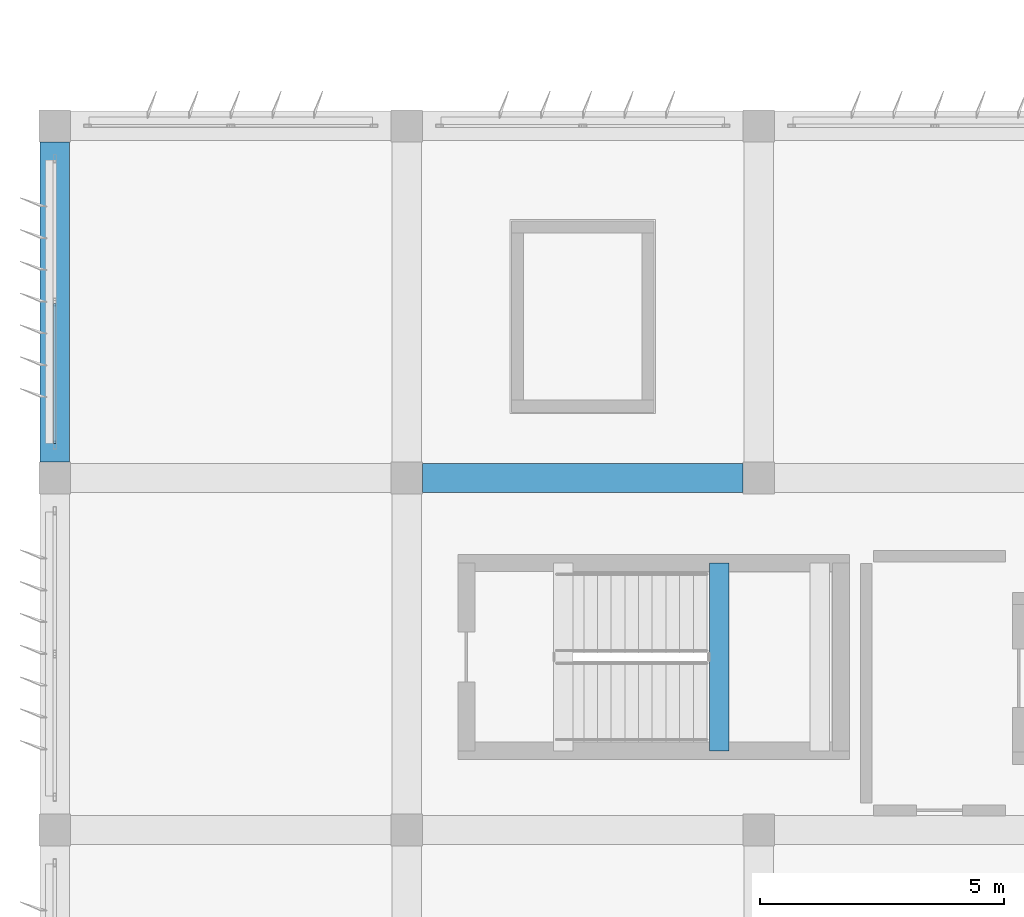
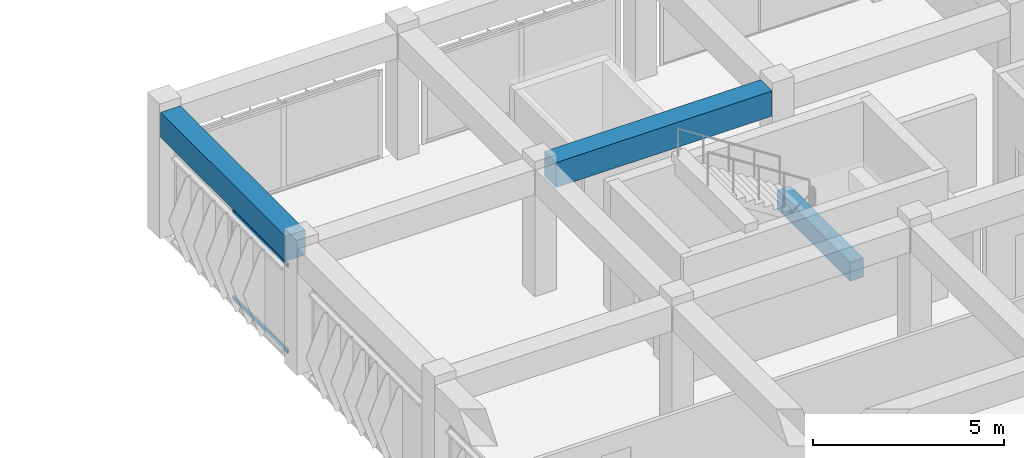
# One storey, part 11 of 53: 3 beams, 2 members, 1 element without a shape of its own.
"""IFC4 building model written with IfcOpenShell, lengths in metres."""

from ifc_helpers import new_model, si_unit, direction, frame, origin, origin_2d, place, context, subcontext, project, spatial, rectangle, hollow_rectangle, extrude, material, material_profile, profile_set, type_object, element, aggregate, save


model = new_model("IFC4")

# Units and contexts
model_context = context("Model", 3, precision=1e-05, world=origin(), true_north=direction((0.0, 1.0)))
body_context = subcontext(model_context, "Body", "Model", "MODEL_VIEW")
ifc_project = project(units=[si_unit("LENGTHUNIT", "METRE"), si_unit("AREAUNIT", "SQUARE_METRE"), si_unit("VOLUMEUNIT", "CUBIC_METRE"), si_unit("PLANEANGLEUNIT", "RADIAN"), si_unit("MASSUNIT", "GRAM", prefix="KILO")], contexts=[model_context])

# Site, building, storey
site_placement = place(None, origin())
site = spatial("IfcSite", under=ifc_project, at=site_placement, CompositionType="ELEMENT")
building_placement = place(site_placement, origin())
building = spatial("IfcBuilding", under=site, at=building_placement, Name="Kazehaya Institute of Natural Sciences", CompositionType="ELEMENT")
storey_placement = place(building_placement, frame((0.0, 0.0, 33.300048828125)))
storey = spatial("IfcBuildingStorey", under=building, at=storey_placement, Name="L07", CompositionType="ELEMENT", Elevation=33.300048828125)

# Beams
ifc_material_1 = material(Name="Concrete Fc36", Category="concrete")
ifc_material_profile_1 = material_profile(ifc_material_1, rectangle(XDim=0.39990234375, YDim=0.60009765625, at=origin_2d()), Name="RC-400x600")
ifc_profile_set_1 = profile_set([ifc_material_profile_1], Name="Concrete Fc36")
beam_type_1 = type_object("IfcBeamType", Name="BM-B-400x600", PredefinedType="BEAM", material=ifc_profile_set_1)
beam_1_placement = place(storey_placement, frame((68.18994140625, 22.820068359375, 1.699951171875), z_axis=(0.0, 1.0, 0.0), x_axis=(-1.0, 0.0, 0.0)))
element("IfcBeam", 1, at=beam_1_placement, inside=storey, type_object=beam_type_1, Name="L07 ST-1 landing beam 1", PredefinedType="BEAM", context=body_context, shape_type="SweptSolid", body=[
    extrude(rectangle(XDim=0.39990234375, YDim=0.60009765625, at=origin_2d()), origin(), (0.0, 0.0, 1.0), 3.83984375),
])
ifc_material_profile_2 = material_profile(ifc_material_1, rectangle(XDim=0.60009765625, YDim=0.800048828125, at=origin_2d()), Name="RC-600x800")
ifc_profile_set_2 = profile_set([ifc_material_profile_2], Name="Concrete Fc36")
beam_type_2 = type_object("IfcBeamType", Name="BM-G-600x800", PredefinedType="BEAM", material=ifc_profile_set_2)
beam_2_placement = place(storey_placement, frame((62.125, 28.39990234375, 3.64990234375), z_axis=(1.0, 0.0, 0.0), x_axis=(0.0, 1.0, 0.0)))
element("IfcBeam", 2, at=beam_2_placement, inside=storey, type_object=beam_type_2, Name="L07 primary X girder BMX-L07-618-284", PredefinedType="BEAM", context=body_context, shape_type="SweptSolid", body=[
    extrude(rectangle(XDim=0.60009765625, YDim=0.800048828125, at=origin_2d()), origin(), (0.0, 0.0, 1.0), 6.550048828125),
])
beam_3_placement = place(storey_placement, frame((54.60009765625, 28.72509765625, 3.64990234375), z_axis=(0.0, 1.0, 0.0), x_axis=(-1.0, 0.0, 0.0)))
element("IfcBeam", 3, at=beam_3_placement, inside=storey, type_object=beam_type_2, Name="L07 primary Y girder BMY-L07-546-284", PredefinedType="BEAM", context=body_context, shape_type="SweptSolid", body=[
    extrude(rectangle(XDim=0.60009765625, YDim=0.800048828125, at=origin_2d()), origin(), (0.0, 0.0, 1.0), 6.5498046875),
])

# Curtain wall, members
ifc_material_2 = material(Name="Aluminium alloy A6063S-T5", Category="aluminium")
curtain_wall_type = type_object("IfcCurtainWallType", Name="CW-SYS-10", PredefinedType="NOTDEFINED", material=ifc_material_2)
curtain_wall_placement = place(storey_placement, origin())
curtain_wall = element("IfcCurtainWall", 4, at=curtain_wall_placement, inside=storey, type_object=curtain_wall_type, Name="L07 unitised curtain wall CW-L07-174", PredefinedType="NOTDEFINED")
ifc_material_profile_3 = material_profile(ifc_material_2, hollow_rectangle(XDim=0.06005859375, YDim=0.1201171875, WallThickness=0.00341796875, at=origin_2d()), Name="ALU-60x120x3.5")
ifc_profile_set_3 = profile_set([ifc_material_profile_3], Name="Aluminium alloy A6063S-T5")
member_type = type_object("IfcMemberType", Name="CWT-120", PredefinedType="USERDEFINED", material=ifc_profile_set_3)
member_1_placement = place(storey_placement, frame((54.60009765625, 29.10009765625, 0.030029296875), z_axis=(0.0, 1.0, 0.0), x_axis=(-1.0, 0.0, 0.0)))
member_1 = element("IfcMember", 5, at=member_1_placement, type_object=member_type, Name="CW10 transom 1.1", ObjectType="TRANSOM", PredefinedType="USERDEFINED", context=body_context, shape_type="SweptSolid", body=[
    extrude(hollow_rectangle(XDim=0.06005859375, YDim=0.1201171875, WallThickness=0.00341796875, at=origin_2d()), origin(), (0.0, 0.0, 1.0), 2.869873046875),
])
member_2_placement = place(storey_placement, frame((54.60009765625, 29.10009765625, 2.7900390625), z_axis=(0.0, 1.0, 0.0), x_axis=(-1.0, 0.0, 0.0)))
member_2 = element("IfcMember", 6, at=member_2_placement, type_object=member_type, Name="CW10 transom 1.2", ObjectType="TRANSOM", PredefinedType="USERDEFINED", context=body_context, shape_type="SweptSolid", body=[
    extrude(hollow_rectangle(XDim=0.06005859375, YDim=0.1201171875, WallThickness=0.00341796875, at=origin_2d()), origin(), (0.0, 0.0, 1.0), 2.869873046875),
])
aggregate(curtain_wall, [member_1, member_2])

save(model, "model.ifc")
